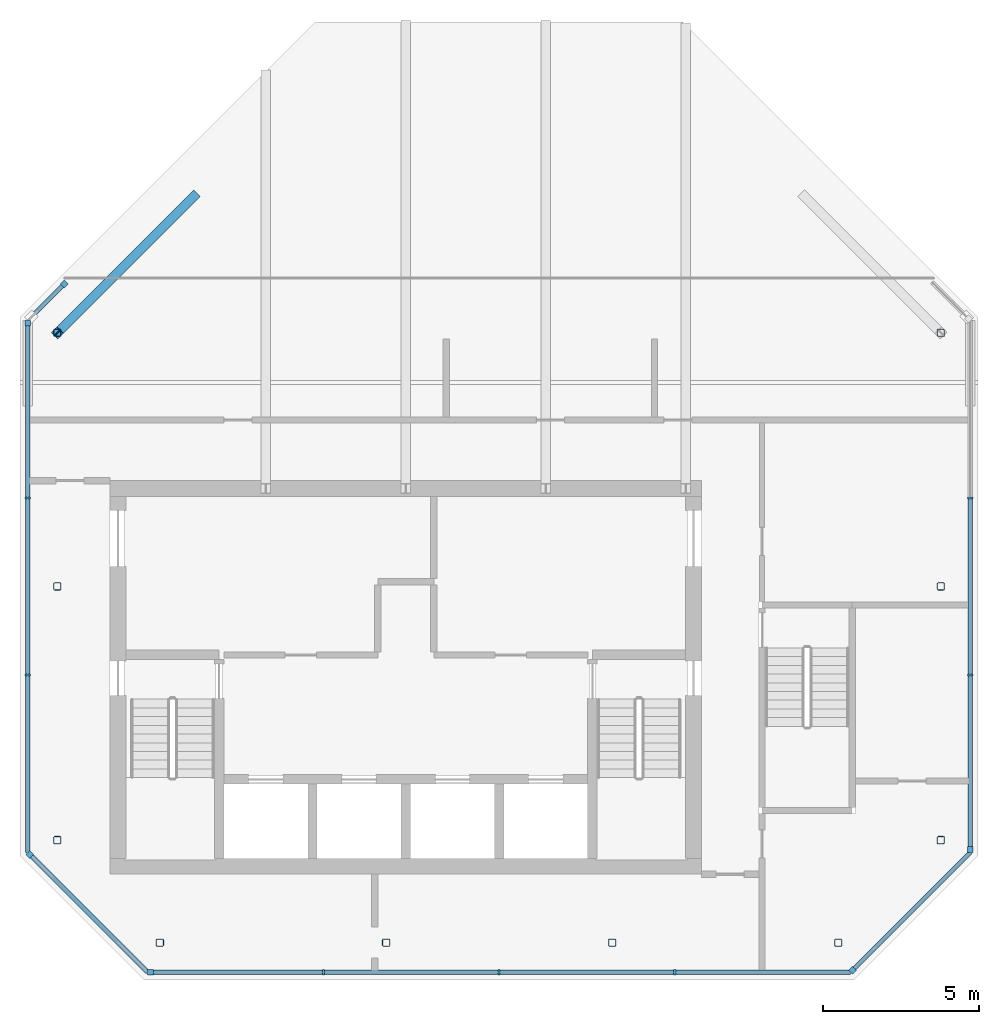
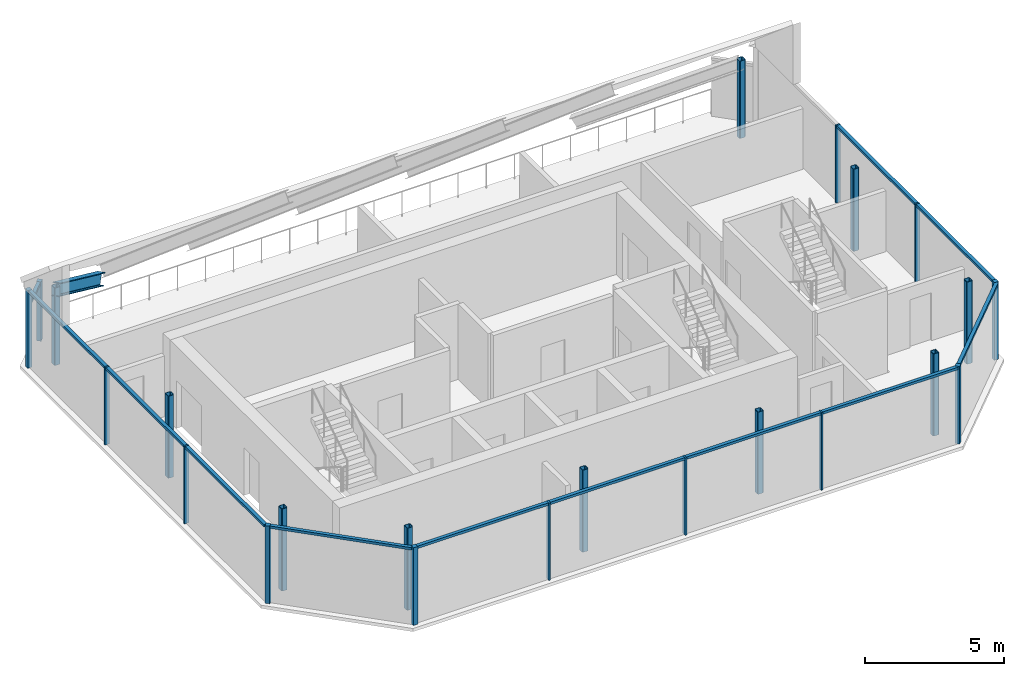
# One storey, part 1 of 5: 25 members, 10 columns, 1 beam, 6 elements without a shape of their own.
"""IFC4 building model written with IfcOpenShell, lengths in metres."""

import ifcopenshell
import ifcopenshell.guid

model = None  # the IFC model being written
_history = None  # IfcOwnerHistory: only IFC2X3 demands one
_inside = {}  # id of a spatial element -> (the spatial element, [elements in it])
_under = {}  # id of a project, library or spatial element -> (it, [spatial elements below it])
_declared = {}  # id of a project -> (the project, [libraries it declares])
_typed = {}  # id of a type object -> (the type object, [elements of that type])
_made_of = {}  # id of a material, layer set ... -> (it, [elements and type objects made of it])


def new_model(schema):
    """Start an empty IFC model of exactly this schema.

    Asked for "IFC4X3", IfcOpenShell would pick the latest addendum, in which some entities
    have other attributes; the version numbers below select the first issue.
    IFC2X3 requires an IfcOwnerHistory on every rooted entity: one is made here for all.
    """
    global model, _history
    if schema == "IFC4X3":
        model = ifcopenshell.file(schema_version=(4, 3, 0, 0))
    else:
        model = ifcopenshell.file(schema=schema)
    _inside.clear()
    _under.clear()
    _declared.clear()
    _typed.clear()
    _made_of.clear()
    _history = None
    if model.schema == "IFC2X3":
        org = make("IfcOrganization", Name="unknown")
        user = make(
            "IfcPersonAndOrganization",
            ThePerson=make("IfcPerson", FamilyName="unknown"),
            TheOrganization=org,
        )
        app = make(
            "IfcApplication",
            ApplicationDeveloper=org,
            Version="unknown",
            ApplicationFullName="unknown",
            ApplicationIdentifier="unknown",
        )
        _history = make(
            "IfcOwnerHistory",
            OwningUser=user,
            OwningApplication=app,
            ChangeAction="ADDED",
            CreationDate=0,
        )
    return model


def make(cls, **values):
    """One entity of the class cls with the attributes given. An attribute that is None is left unset."""
    return model.create_entity(
        cls, **{name: value for name, value in values.items() if value is not None}
    )


def rooted(cls, **values):
    """An entity with a GlobalId (a new one), such as an element, a storey or a relation."""
    return make(cls, GlobalId=ifcopenshell.guid.new(), OwnerHistory=_history, **values)


def si_unit(unit_type, name, prefix=None):
    """IfcSIUnit, for example si_unit("LENGTHUNIT", "METRE", prefix="MILLI")."""
    return make("IfcSIUnit", UnitType=unit_type, Prefix=prefix, Name=name)


def assignment(units):
    """IfcUnitAssignment: the units of a project."""
    return None if units is None else make("IfcUnitAssignment", Units=units)


def point(xyz):
    """IfcCartesianPoint."""
    return None if xyz is None else make("IfcCartesianPoint", Coordinates=xyz)


def direction(xyz):
    """IfcDirection."""
    return None if xyz is None else make("IfcDirection", DirectionRatios=xyz)


def frame(location, z_axis=None, x_axis=None):
    """IfcAxis2Placement3D, a coordinate frame: its origin and axes. An axis left out is left unset."""
    return make(
        "IfcAxis2Placement3D",
        Location=point(location),
        Axis=direction(z_axis),
        RefDirection=direction(x_axis),
    )


def frame_2d(location, x_axis=None):
    """IfcAxis2Placement2D, a coordinate frame in the plane: its origin and x axis."""
    return make(
        "IfcAxis2Placement2D", Location=point(location), RefDirection=direction(x_axis)
    )


def origin():
    """The frame at (0, 0, 0) with its axes left unset."""
    return frame((0.0, 0.0, 0.0))


def origin_2d():
    """The frame at (0, 0) in the plane with its x axis left unset."""
    return frame_2d((0.0, 0.0))


def place(relative_to, where):
    """IfcLocalPlacement: puts the frame where relative to a parent placement (None: the world)."""
    return make(
        "IfcLocalPlacement", PlacementRelTo=relative_to, RelativePlacement=where
    )


def context(
    kind, dimensions, precision=None, world=None, true_north=None, identifier=None
):
    """IfcGeometricRepresentationContext, for example the 3D "Model" context."""
    return make(
        "IfcGeometricRepresentationContext",
        ContextIdentifier=identifier,
        ContextType=kind,
        CoordinateSpaceDimension=dimensions,
        Precision=precision,
        WorldCoordinateSystem=world,
        TrueNorth=true_north,
    )


def subcontext(parent, identifier, kind, view, scale=None):
    """IfcGeometricRepresentationSubContext, for example "Body" below "Model"."""
    return make(
        "IfcGeometricRepresentationSubContext",
        ContextIdentifier=identifier,
        ContextType=kind,
        ParentContext=parent,
        TargetScale=scale,
        TargetView=view,
    )


def project(units=None, contexts=None):
    """IfcProject with its units and contexts."""
    return rooted(
        "IfcProject",
        Name="project",
        RepresentationContexts=contexts,
        UnitsInContext=assignment(units),
    )


def spatial(cls, under=None, at=None, **own):
    """A site, building, storey or space (cls), placed at a placement, below another one or the project."""
    s = rooted(cls, ObjectPlacement=at, **own)
    if under is not None:
        _under.setdefault(under.id(), (under, []))[1].append(s)
    return s


def profile(cls, at=None, kind="AREA", **sizes):
    """A parametric profile (cls). Its sizes go by their IFC names, for example OverallWidth=200.0."""
    return make(cls, ProfileType=kind, Position=at, **sizes)


def rectangle(**sizes):
    """IfcRectangleProfileDef."""
    return profile("IfcRectangleProfileDef", **sizes)


def hollow_rectangle(**sizes):
    """IfcRectangleHollowProfileDef."""
    return profile("IfcRectangleHollowProfileDef", **sizes)


def i_section(**sizes):
    """IfcIShapeProfileDef."""
    return profile("IfcIShapeProfileDef", **sizes)


def extrude(swept, where, along, depth):
    """IfcExtrudedAreaSolid: the profile swept, set in the frame where, extruded along a direction by depth."""
    return make(
        "IfcExtrudedAreaSolid",
        SweptArea=swept,
        Position=where,
        ExtrudedDirection=direction(along),
        Depth=depth,
    )


def shape(context_of_items, identifier, shape_type, items):
    """IfcShapeRepresentation: the items that make up one representation, for example the "Body"."""
    return make(
        "IfcShapeRepresentation",
        ContextOfItems=context_of_items,
        RepresentationIdentifier=identifier,
        RepresentationType=shape_type,
        Items=items,
    )


def material(Name=None, Category=None):
    """IfcMaterial."""
    return make("IfcMaterial", Name=Name, Category=Category)


def material_profile(
    of_material, cross_section, Name=None, Category=None, Priority=None
):
    """IfcMaterialProfile: a cross section and its material."""
    return make(
        "IfcMaterialProfile",
        Name=Name,
        Material=of_material,
        Profile=cross_section,
        Priority=Priority,
        Category=Category,
    )


def profile_set(profiles, Name=None, composite=None):
    """IfcMaterialProfileSet."""
    return make(
        "IfcMaterialProfileSet",
        Name=Name,
        MaterialProfiles=profiles,
        CompositeProfile=composite,
    )


def made_of(thing, what):
    """Note that an element or type object is made of a material, layer set ...; save() writes the relation."""
    if what is not None:
        _made_of.setdefault(what.id(), (what, []))[1].append(thing)
    return thing


def type_object(cls, material=None, **own):
    """A type object (cls), such as IfcWallType, which elements share."""
    return made_of(rooted(cls, **own), material)


def element(
    cls,
    number,
    at=None,
    inside=None,
    cuts=None,
    type_object=None,
    material=None,
    context=None,
    identifier="Body",
    shape_type=None,
    held_by="IfcProductDefinitionShape",
    body=None,
    shapes=None,
    **own,
):
    """One element of the class cls, such as IfcWall. Its Tag is "e" and its number.

    at: its placement. inside: the storey or other place that contains it. cuts: it is an
    opening in that element (IfcRelVoidsElement). A single representation is given by context,
    identifier, shape_type and body (its items); several are given by shapes. held_by: the class
    of the entity that holds the representations. save() writes the other relations.
    """
    e = rooted(cls, Tag="e%d" % number, ObjectPlacement=at, **own)
    if body is not None:
        shapes = [shape(context, identifier, shape_type, body)]
    if shapes is not None:
        e.Representation = make(held_by, Representations=shapes)
    if inside is not None:
        _inside.setdefault(inside.id(), (inside, []))[1].append(e)
    if cuts is not None:
        rooted(
            "IfcRelVoidsElement", RelatingBuildingElement=cuts, RelatedOpeningElement=e
        )
    if type_object is not None:
        _typed.setdefault(type_object.id(), (type_object, []))[1].append(e)
    return made_of(e, material)


def aggregate(whole, parts):
    """IfcRelAggregates: a whole, such as a stair, and the parts it consists of."""
    return rooted("IfcRelAggregates", RelatingObject=whole, RelatedObjects=parts)


def save(model, path):
    """Write the relations noted so far, then the file.

    IfcRelAggregates (storeys below a building ...), IfcRelContainedInSpatialStructure (elements
    in a storey), IfcRelDefinesByType, IfcRelAssociatesMaterial and IfcRelDeclares: one each for
    every whole, place, type object, material and project.
    """
    for whole, parts in _under.values():
        aggregate(whole, parts)
    for where, things in _inside.values():
        rooted(
            "IfcRelContainedInSpatialStructure",
            RelatedElements=things,
            RelatingStructure=where,
        )
    for kind, things in _typed.values():
        rooted("IfcRelDefinesByType", RelatedObjects=things, RelatingType=kind)
    for what, things in _made_of.values():
        rooted("IfcRelAssociatesMaterial", RelatedObjects=things, RelatingMaterial=what)
    for by, libraries in _declared.values():
        rooted("IfcRelDeclares", RelatingContext=by, RelatedDefinitions=libraries)
    model.write(path)


model = new_model("IFC4")

# Units and contexts
model_context = context("Model", 3, precision=1e-05, world=origin(), true_north=direction((0.0, 1.0)))
body_context = subcontext(model_context, "Body", "Model", "MODEL_VIEW")
ifc_project = project(units=[si_unit("LENGTHUNIT", "METRE"), si_unit("AREAUNIT", "SQUARE_METRE"), si_unit("VOLUMEUNIT", "CUBIC_METRE"), si_unit("PLANEANGLEUNIT", "RADIAN"), si_unit("MASSUNIT", "GRAM", prefix="KILO")], contexts=[model_context])

# Site, building, storey
site_placement = place(None, origin())
site = spatial("IfcSite", under=ifc_project, at=site_placement, CompositionType="ELEMENT")
building_placement = place(site_placement, origin())
building = spatial("IfcBuilding", under=site, at=building_placement, Name="Tskaro Facet Tower", CompositionType="ELEMENT")
storey_placement = place(building_placement, frame((0.0, 0.0, 304.5)))
storey = spatial("IfcBuildingStorey", under=building, at=storey_placement, Name="L82", CompositionType="ELEMENT", Elevation=304.5)

# Columns
ifc_material_1 = material(Name="Steel S355J2H", Category="steel")
ifc_material_profile_1 = material_profile(ifc_material_1, hollow_rectangle(XDim=0.25, YDim=0.25, WallThickness=0.02001953125, InnerFilletRadius=0.030029296875, OuterFilletRadius=0.050048828125, at=origin_2d()), Name="SHS 250x250x20")
ifc_profile_set_1 = profile_set([ifc_material_profile_1], Name="Steel S355J2H")
column_type = type_object("IfcColumnType", Name="SHS 250x250x20 ring column", PredefinedType="COLUMN", material=ifc_profile_set_1)
for number, where, z_axis, x_axis, name in (
    (1, (-7.903076171875, -14.199951171875, 0.0), (0.0, 0.0, 1.0), (1.0, 0.0, 0.0), "SHS 250x250x20 RS-1/6"),
    (2, (-0.634033203125, -14.199951171875, 0.0), (0.0, 0.0, 1.0), (1.0, 0.0, 0.0), "SHS 250x250x20 RS-2/6"),
    (3, (6.634033203125, -14.199951171875, 0.0), (0.0, 0.0, 1.0), (1.0, 0.0, 0.0), "SHS 250x250x20 RS-3/6"),
    (4, (13.903076171875, -14.199951171875, 0.0), (0.0, 0.0, 1.0), (1.0, 0.0, 0.0), "SHS 250x250x20 RSE-1/6"),
    (5, (17.199951171875, -10.903076171875, 0.0), (0.0, 0.0, 1.0), (1.0, 0.0, 0.0), "SHS 250x250x20 RE-1/6"),
    (6, (17.199951171875, -2.75, 0.0), (0.0, 0.0, 1.0), (1.0, 0.0, 0.0), "SHS 250x250x20 RE-2/6"),
):
    element("IfcColumn", number, at=place(storey_placement, frame(where, z_axis=z_axis, x_axis=x_axis)), inside=storey, type_object=column_type, Name=name, PredefinedType="COLUMN", context=body_context, shape_type="SweptSolid", body=[
        extrude(hollow_rectangle(XDim=0.25, YDim=0.25, WallThickness=0.02001953125, InnerFilletRadius=0.030029296875, OuterFilletRadius=0.050048828125, at=origin_2d()), origin(), (0.0, 0.0, 1.0), 3.60009765625),
    ])
for number, where, z_axis, x_axis, name in (
    (7, (17.199951171875, 5.403076171875, 0.0), (0.0, 0.0, 1.0), (1.0, 0.0, 0.0), "SHS 250x250x20 RNE-1/6"),
    (8, (-11.199951171875, 5.403076171875, 0.0), (0.0, 0.0, 1.0), (1.0, 0.0, 0.0), "SHS 250x250x20 RW-1/6"),
):
    element("IfcColumn", number, at=place(storey_placement, frame(where, z_axis=z_axis, x_axis=x_axis)), inside=storey, type_object=column_type, Name=name, PredefinedType="COLUMN", context=body_context, shape_type="SweptSolid", body=[
        extrude(hollow_rectangle(XDim=0.25, YDim=0.25, WallThickness=0.02001953125, InnerFilletRadius=0.030029296875, OuterFilletRadius=0.050048828125, at=origin_2d()), origin(), (0.0, 0.0, 1.0), 3.391845703125),
    ])
for number, where, z_axis, x_axis, name in (
    (9, (-11.199951171875, -2.75, 0.0), (0.0, 0.0, 1.0), (1.0, 0.0, 0.0), "SHS 250x250x20 RW-2/6"),
    (10, (-11.199951171875, -10.903076171875, 0.0), (0.0, 0.0, 1.0), (1.0, 0.0, 0.0), "SHS 250x250x20 RSW-1/6"),
):
    element("IfcColumn", number, at=place(storey_placement, frame(where, z_axis=z_axis, x_axis=x_axis)), inside=storey, type_object=column_type, Name=name, PredefinedType="COLUMN", context=body_context, shape_type="SweptSolid", body=[
        extrude(hollow_rectangle(XDim=0.25, YDim=0.25, WallThickness=0.02001953125, InnerFilletRadius=0.030029296875, OuterFilletRadius=0.050048828125, at=origin_2d()), origin(), (0.0, 0.0, 1.0), 3.60009765625),
    ])

# Curtain wall, member
ifc_material_2 = material(Name="Bronze anodised aluminium 6063-T6", Category="aluminium")
curtain_wall_type = type_object("IfcCurtainWallType", Name="Bronze crown curtain wall (FW5)", PredefinedType="NOTDEFINED", material=ifc_material_2)
curtain_wall_1_placement = place(storey_placement, origin())
curtain_wall_1 = element("IfcCurtainWall", 11, at=curtain_wall_1_placement, inside=storey, type_object=curtain_wall_type, Name="FW5 south facet L82", PredefinedType="NOTDEFINED")
ifc_material_profile_2 = material_profile(ifc_material_2, rectangle(XDim=0.179931640625, YDim=0.179931640625, at=origin_2d()), Name="Corner post 180x180")
ifc_profile_set_2 = profile_set([ifc_material_profile_2], Name="Bronze anodised aluminium 6063-T6")
member_type_1 = type_object("IfcMemberType", Name="FW5 bronze corner post 180x180", PredefinedType="MULLION", material=ifc_profile_set_2)
member_1_placement = place(storey_placement, frame((-8.2060546875, -15.14990234375, 0.0), z_axis=(0.0, 0.0, 1.0), x_axis=(1.0, 0.0, 0.0)))
member_1 = element("IfcMember", 12, at=member_1_placement, type_object=member_type_1, Name="FW5 south corner post", PredefinedType="MULLION", context=body_context, shape_type="SweptSolid", body=[
    extrude(rectangle(XDim=0.179931640625, YDim=0.179931640625, at=origin_2d()), origin(), (0.0, 0.0, 1.0), 3.39990234375),
])

curtain_wall_2_placement = place(storey_placement, origin())
curtain_wall_2 = element("IfcCurtainWall", 13, at=curtain_wall_2_placement, inside=storey, type_object=curtain_wall_type, Name="FW5 south-east facet L82", PredefinedType="NOTDEFINED")
member_2_placement = place(storey_placement, frame((14.359619140625, -15.08642578125, 0.0), z_axis=(0.0, 0.0, 1.0), x_axis=(0.707106781187, 0.707106781187, 0.0)))
member_2 = element("IfcMember", 14, at=member_2_placement, type_object=member_type_1, Name="FW5 south-east corner post", PredefinedType="MULLION", context=body_context, shape_type="SweptSolid", body=[
    extrude(rectangle(XDim=0.179931640625, YDim=0.179931640625, at=origin_2d()), origin(), (0.0, 0.0, 1.0), 3.39990234375),
])

curtain_wall_3_placement = place(storey_placement, origin())
curtain_wall_3 = element("IfcCurtainWall", 15, at=curtain_wall_3_placement, inside=storey, type_object=curtain_wall_type, Name="FW5 east facet L82", PredefinedType="NOTDEFINED")
member_3_placement = place(storey_placement, frame((18.14990234375, -11.2060546875, 0.0), z_axis=(0.0, 0.0, 1.0), x_axis=(0.0, 1.0, 0.0)))
member_3 = element("IfcMember", 16, at=member_3_placement, type_object=member_type_1, Name="FW5 east corner post", PredefinedType="MULLION", context=body_context, shape_type="SweptSolid", body=[
    extrude(rectangle(XDim=0.179931640625, YDim=0.179931640625, at=origin_2d()), origin(), (0.0, 0.0, 1.0), 3.39990234375),
])

curtain_wall_4_placement = place(storey_placement, origin())
curtain_wall_4 = element("IfcCurtainWall", 17, at=curtain_wall_4_placement, inside=storey, type_object=curtain_wall_type, Name="FW5 north-west facet L82", PredefinedType="NOTDEFINED")
member_4_placement = place(storey_placement, frame((-10.9775390625, 6.96826171875, 0.0), z_axis=(0.0, 0.0, 1.0), x_axis=(-0.707106781187, -0.707106781187, 0.0)))
member_4 = element("IfcMember", 18, at=member_4_placement, type_object=member_type_1, Name="FW5 north-west corner post", PredefinedType="MULLION", context=body_context, shape_type="SweptSolid", body=[
    extrude(rectangle(XDim=0.179931640625, YDim=0.179931640625, at=origin_2d()), origin(), (0.0, 0.0, 1.0), 2.600341796875),
])

curtain_wall_5_placement = place(storey_placement, origin())
curtain_wall_5 = element("IfcCurtainWall", 19, at=curtain_wall_5_placement, inside=storey, type_object=curtain_wall_type, Name="FW5 west facet L82", PredefinedType="NOTDEFINED")
member_5_placement = place(storey_placement, frame((-12.14990234375, 5.7060546875, 0.0), z_axis=(0.0, 0.0, 1.0), x_axis=(0.0, -1.0, 0.0)))
member_5 = element("IfcMember", 20, at=member_5_placement, type_object=member_type_1, Name="FW5 west corner post", PredefinedType="MULLION", context=body_context, shape_type="SweptSolid", body=[
    extrude(rectangle(XDim=0.179931640625, YDim=0.179931640625, at=origin_2d()), origin(), (0.0, 0.0, 1.0), 3.39990234375),
])

curtain_wall_6_placement = place(storey_placement, origin())
curtain_wall_6 = element("IfcCurtainWall", 21, at=curtain_wall_6_placement, inside=storey, type_object=curtain_wall_type, Name="FW5 south-west facet L82", PredefinedType="NOTDEFINED")
member_6_placement = place(storey_placement, frame((-12.08642578125, -11.359619140625, 0.0), z_axis=(0.0, 0.0, 1.0), x_axis=(0.707106781187, -0.707106781187, 0.0)))
member_6 = element("IfcMember", 22, at=member_6_placement, type_object=member_type_1, Name="FW5 south-west corner post", PredefinedType="MULLION", context=body_context, shape_type="SweptSolid", body=[
    extrude(rectangle(XDim=0.179931640625, YDim=0.179931640625, at=origin_2d()), origin(), (0.0, 0.0, 1.0), 3.39990234375),
])

# Member
ifc_material_profile_3 = material_profile(ifc_material_2, rectangle(XDim=0.070068359375, YDim=0.179931640625, at=origin_2d()), Name="Mullion 70x180")
ifc_profile_set_3 = profile_set([ifc_material_profile_3], Name="Bronze anodised aluminium 6063-T6")
member_type_2 = type_object("IfcMemberType", Name="FW5 bronze mullion 70x180", PredefinedType="MULLION", material=ifc_profile_set_3)
member_7_placement = place(storey_placement, frame((-2.64794921875, -15.14990234375, 0.0), z_axis=(0.0, 0.0, 1.0), x_axis=(1.0, 0.0, 0.0)))
member_7 = element("IfcMember", 23, at=member_7_placement, type_object=member_type_2, Name="FW5 south mullion 1", PredefinedType="MULLION", context=body_context, shape_type="SweptSolid", body=[
    extrude(rectangle(XDim=0.070068359375, YDim=0.179931640625, at=origin_2d()), origin(), (0.0, 0.0, 1.0), 3.39990234375),
])

member_8_placement = place(storey_placement, frame((3.0, -15.14990234375, 0.0), z_axis=(0.0, 0.0, 1.0), x_axis=(1.0, 0.0, 0.0)))
member_8 = element("IfcMember", 24, at=member_8_placement, type_object=member_type_2, Name="FW5 south mullion 2", PredefinedType="MULLION", context=body_context, shape_type="SweptSolid", body=[
    extrude(rectangle(XDim=0.070068359375, YDim=0.179931640625, at=origin_2d()), origin(), (0.0, 0.0, 1.0), 3.39990234375),
])

member_9_placement = place(storey_placement, frame((8.64794921875, -15.14990234375, 0.0), z_axis=(0.0, 0.0, 1.0), x_axis=(1.0, 0.0, 0.0)))
member_9 = element("IfcMember", 25, at=member_9_placement, type_object=member_type_2, Name="FW5 south mullion 3", PredefinedType="MULLION", context=body_context, shape_type="SweptSolid", body=[
    extrude(rectangle(XDim=0.070068359375, YDim=0.179931640625, at=origin_2d()), origin(), (0.0, 0.0, 1.0), 3.39990234375),
])

member_10_placement = place(storey_placement, frame((18.14990234375, -5.5986328125, 0.0), z_axis=(0.0, 0.0, 1.0), x_axis=(0.0, 1.0, 0.0)))
member_10 = element("IfcMember", 26, at=member_10_placement, type_object=member_type_2, Name="FW5 east mullion 1", PredefinedType="MULLION", context=body_context, shape_type="SweptSolid", body=[
    extrude(rectangle(XDim=0.070068359375, YDim=0.179931640625, at=origin_2d()), origin(), (0.0, 0.0, 1.0), 3.39990234375),
])

member_11_placement = place(storey_placement, frame((18.14990234375, 0.0986328125, 0.0), z_axis=(0.0, 0.0, 1.0), x_axis=(0.0, 1.0, 0.0)))
member_11 = element("IfcMember", 27, at=member_11_placement, type_object=member_type_2, Name="FW5 east mullion 2", PredefinedType="MULLION", context=body_context, shape_type="SweptSolid", body=[
    extrude(rectangle(XDim=0.070068359375, YDim=0.179931640625, at=origin_2d()), origin(), (0.0, 0.0, 1.0), 3.39990234375),
])

member_12_placement = place(storey_placement, frame((-12.14990234375, 0.0986328125, 0.0), z_axis=(0.0, 0.0, 1.0), x_axis=(0.0, -1.0, 0.0)))
member_12 = element("IfcMember", 28, at=member_12_placement, type_object=member_type_2, Name="FW5 west mullion 1", PredefinedType="MULLION", context=body_context, shape_type="SweptSolid", body=[
    extrude(rectangle(XDim=0.070068359375, YDim=0.179931640625, at=origin_2d()), origin(), (0.0, 0.0, 1.0), 3.39990234375),
])

member_13_placement = place(storey_placement, frame((-12.14990234375, -5.5986328125, 0.0), z_axis=(0.0, 0.0, 1.0), x_axis=(0.0, -1.0, 0.0)))
member_13 = element("IfcMember", 29, at=member_13_placement, type_object=member_type_2, Name="FW5 west mullion 2", PredefinedType="MULLION", context=body_context, shape_type="SweptSolid", body=[
    extrude(rectangle(XDim=0.070068359375, YDim=0.179931640625, at=origin_2d()), origin(), (0.0, 0.0, 1.0), 3.39990234375),
])

ifc_material_profile_4 = material_profile(ifc_material_2, rectangle(XDim=0.139892578125, YDim=0.110107421875, at=origin_2d()), Name="Transom 140x110")
ifc_profile_set_4 = profile_set([ifc_material_profile_4], Name="Bronze anodised aluminium 6063-T6")
member_type_3 = type_object("IfcMemberType", Name="FW5 bronze transom 140x110", PredefinedType="USERDEFINED", material=ifc_profile_set_4)
member_14_placement = place(storey_placement, frame((-8.115966796875, -15.14990234375, 3.344970703125), z_axis=(1.0, 0.0, 0.0), x_axis=(0.0, 1.0, 0.0)))
member_14 = element("IfcMember", 30, at=member_14_placement, type_object=member_type_3, Name="FW5 south transom 1.1", ObjectType="TRANSOM", PredefinedType="USERDEFINED", context=body_context, shape_type="SweptSolid", body=[
    extrude(rectangle(XDim=0.139892578125, YDim=0.110107421875, at=origin_2d()), origin(), (0.0, 0.0, 1.0), 5.432861328125),
])

member_15_placement = place(storey_placement, frame((-2.613037109375, -15.14990234375, 3.344970703125), z_axis=(1.0, 0.0, 0.0), x_axis=(0.0, 1.0, 0.0)))
member_15 = element("IfcMember", 31, at=member_15_placement, type_object=member_type_3, Name="FW5 south transom 2.1", ObjectType="TRANSOM", PredefinedType="USERDEFINED", context=body_context, shape_type="SweptSolid", body=[
    extrude(rectangle(XDim=0.139892578125, YDim=0.110107421875, at=origin_2d()), origin(), (0.0, 0.0, 1.0), 5.578125),
])

member_16_placement = place(storey_placement, frame((3.034912109375, -15.14990234375, 3.344970703125), z_axis=(1.0, 0.0, 0.0), x_axis=(0.0, 1.0, 0.0)))
member_16 = element("IfcMember", 32, at=member_16_placement, type_object=member_type_3, Name="FW5 south transom 3.1", ObjectType="TRANSOM", PredefinedType="USERDEFINED", context=body_context, shape_type="SweptSolid", body=[
    extrude(rectangle(XDim=0.139892578125, YDim=0.110107421875, at=origin_2d()), origin(), (0.0, 0.0, 1.0), 5.578125),
])

member_17_placement = place(storey_placement, frame((8.68310546875, -15.14990234375, 3.344970703125), z_axis=(1.0, 0.0, 0.0), x_axis=(0.0, 1.0, 0.0)))
member_17 = element("IfcMember", 33, at=member_17_placement, type_object=member_type_3, Name="FW5 south transom 4.1", ObjectType="TRANSOM", PredefinedType="USERDEFINED", context=body_context, shape_type="SweptSolid", body=[
    extrude(rectangle(XDim=0.139892578125, YDim=0.110107421875, at=origin_2d()), origin(), (0.0, 0.0, 1.0), 5.61279296875),
])

aggregate(curtain_wall_1, [member_1, member_7, member_8, member_9, member_14, member_15, member_16, member_17])

member_18_placement = place(storey_placement, frame((14.42333984375, -15.022705078125, 3.344970703125), z_axis=(0.707083619001, 0.707129942613, 0.0), x_axis=(-0.707129942613, 0.707083619001, 0.0)))
member_18 = element("IfcMember", 34, at=member_18_placement, type_object=member_type_3, Name="FW5 south-east transom 1.1", ObjectType="TRANSOM", PredefinedType="USERDEFINED", context=body_context, shape_type="SweptSolid", body=[
    extrude(rectangle(XDim=0.139892578125, YDim=0.110107421875, at=origin_2d()), origin(), (0.0, 0.0, 1.0), 5.270263671875),
])

aggregate(curtain_wall_2, [member_2, member_18])

member_19_placement = place(storey_placement, frame((18.14990234375, -11.115966796875, 3.344970703125), z_axis=(0.0, 1.0, 0.0), x_axis=(-1.0, 0.0, 0.0)))
member_19 = element("IfcMember", 35, at=member_19_placement, type_object=member_type_3, Name="FW5 east transom 1.1", ObjectType="TRANSOM", PredefinedType="USERDEFINED", context=body_context, shape_type="SweptSolid", body=[
    extrude(rectangle(XDim=0.139892578125, YDim=0.110107421875, at=origin_2d()), origin(), (0.0, 0.0, 1.0), 5.482421875),
])

member_20_placement = place(storey_placement, frame((18.14990234375, -5.563720703125, 3.344970703125), z_axis=(0.0, 1.0, 0.0), x_axis=(-1.0, 0.0, 0.0)))
member_20 = element("IfcMember", 36, at=member_20_placement, type_object=member_type_3, Name="FW5 east transom 2.1", ObjectType="TRANSOM", PredefinedType="USERDEFINED", context=body_context, shape_type="SweptSolid", body=[
    extrude(rectangle(XDim=0.139892578125, YDim=0.110107421875, at=origin_2d()), origin(), (0.0, 0.0, 1.0), 5.62744140625),
])

aggregate(curtain_wall_3, [member_3, member_10, member_11, member_19, member_20])

member_21_placement = place(storey_placement, frame((-11.041259765625, 6.90478515625, 2.54541015625), z_axis=(-0.707028927427, -0.707184626376, 0.0), x_axis=(0.707184626376, -0.707028927427, 0.0)))
member_21 = element("IfcMember", 37, at=member_21_placement, type_object=member_type_3, Name="FW5 north-west transom 1.1", ObjectType="TRANSOM", PredefinedType="USERDEFINED", context=body_context, shape_type="SweptSolid", body=[
    extrude(rectangle(XDim=0.139892578125, YDim=0.110107421875, at=origin_2d()), origin(), (0.0, 0.0, 1.0), 1.568115234375),
])

aggregate(curtain_wall_4, [member_4, member_21])

member_22_placement = place(storey_placement, frame((-12.14990234375, 5.615966796875, 3.344970703125), z_axis=(0.0, -1.0, 0.0), x_axis=(1.0, 0.0, 0.0)))
member_22 = element("IfcMember", 38, at=member_22_placement, type_object=member_type_3, Name="FW5 west transom 1.1", ObjectType="TRANSOM", PredefinedType="USERDEFINED", context=body_context, shape_type="SweptSolid", body=[
    extrude(rectangle(XDim=0.139892578125, YDim=0.110107421875, at=origin_2d()), origin(), (0.0, 0.0, 1.0), 5.482421875),
])

member_23_placement = place(storey_placement, frame((-12.14990234375, 0.063720703125, 3.344970703125), z_axis=(0.0, -1.0, 0.0), x_axis=(1.0, 0.0, 0.0)))
member_23 = element("IfcMember", 39, at=member_23_placement, type_object=member_type_3, Name="FW5 west transom 2.1", ObjectType="TRANSOM", PredefinedType="USERDEFINED", context=body_context, shape_type="SweptSolid", body=[
    extrude(rectangle(XDim=0.139892578125, YDim=0.110107421875, at=origin_2d()), origin(), (0.0, 0.0, 1.0), 5.62744140625),
])

member_24_placement = place(storey_placement, frame((-12.14990234375, -5.633544921875, 3.344970703125), z_axis=(0.0, -1.0, 0.0), x_axis=(1.0, 0.0, 0.0)))
member_24 = element("IfcMember", 40, at=member_24_placement, type_object=member_type_3, Name="FW5 west transom 3.1", ObjectType="TRANSOM", PredefinedType="USERDEFINED", context=body_context, shape_type="SweptSolid", body=[
    extrude(rectangle(XDim=0.139892578125, YDim=0.110107421875, at=origin_2d()), origin(), (0.0, 0.0, 1.0), 5.662353515625),
])

aggregate(curtain_wall_5, [member_5, member_12, member_13, member_22, member_23, member_24])

member_25_placement = place(storey_placement, frame((-12.022705078125, -11.42333984375, 3.344970703125), z_axis=(0.707129942613, -0.707083619001, 0.0), x_axis=(0.707083619001, 0.707129942613, 0.0)))
member_25 = element("IfcMember", 41, at=member_25_placement, type_object=member_type_3, Name="FW5 south-west transom 1.1", ObjectType="TRANSOM", PredefinedType="USERDEFINED", context=body_context, shape_type="SweptSolid", body=[
    extrude(rectangle(XDim=0.139892578125, YDim=0.110107421875, at=origin_2d()), origin(), (0.0, 0.0, 1.0), 5.270263671875),
])

aggregate(curtain_wall_6, [member_6, member_25])

# Beam
ifc_material_3 = material(Name="Steel S355J2", Category="steel")
ifc_material_profile_5 = material_profile(ifc_material_3, i_section(OverallWidth=0.300048828125, OverallDepth=0.5, WebThickness=0.014404296875, FlangeThickness=0.028076171875, FilletRadius=0.027099609375, at=origin_2d()), Name="HE 500 B")
ifc_profile_set_5 = profile_set([ifc_material_profile_5], Name="Steel S355J2")
beam_type = type_object("IfcBeamType", Name="HE 500 B roof ring beam", PredefinedType="BEAM", material=ifc_profile_set_5)
beam_placement = place(storey_placement, frame((-6.801025390625, 9.801025390625, -0.50634765625), z_axis=(-0.606144689886, -0.60601012563, 0.515111970892), x_axis=(0.707028279185, -0.707185274473, 0.0)))
element("IfcBeam", 42, at=beam_placement, inside=storey, type_object=beam_type, Name="HE 500 B RB12-6", PredefinedType="BEAM", context=body_context, shape_type="SweptSolid", body=[
    extrude(i_section(OverallWidth=0.300048828125, OverallDepth=0.5, WebThickness=0.014404296875, FlangeThickness=0.028076171875, FilletRadius=0.027099609375, at=origin_2d()), origin(), (0.0, 0.0, 1.0), 7.25732421875),
])

save(model, "model.ifc")
